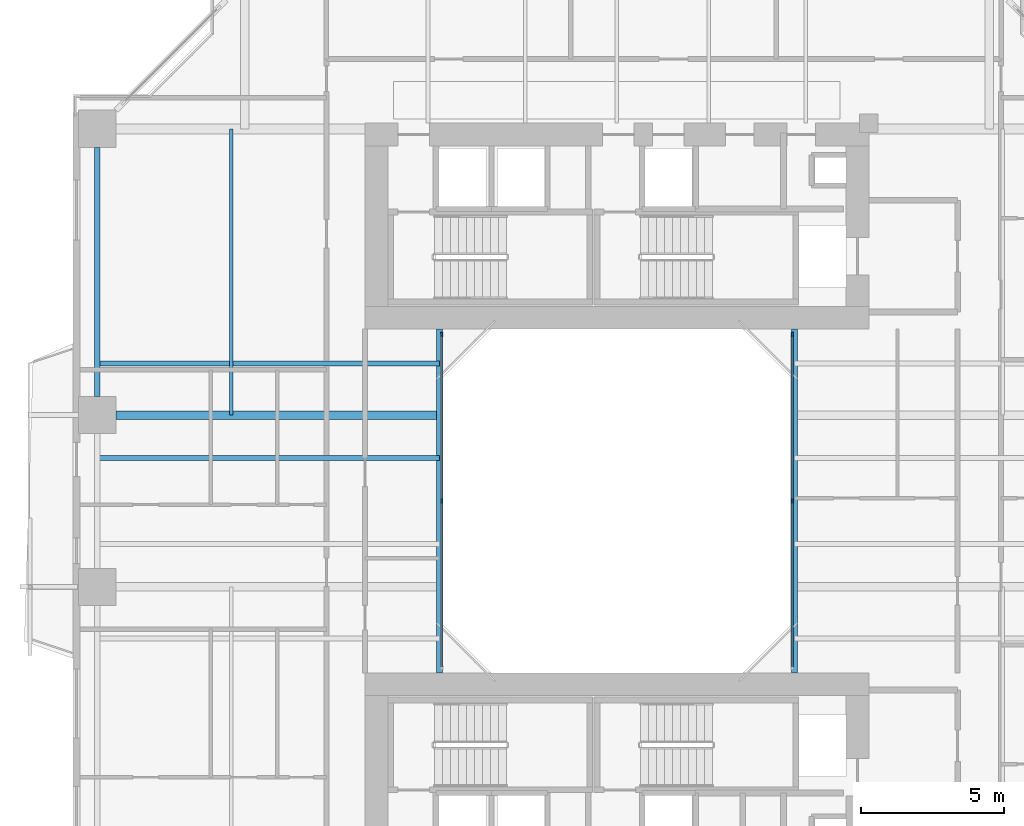
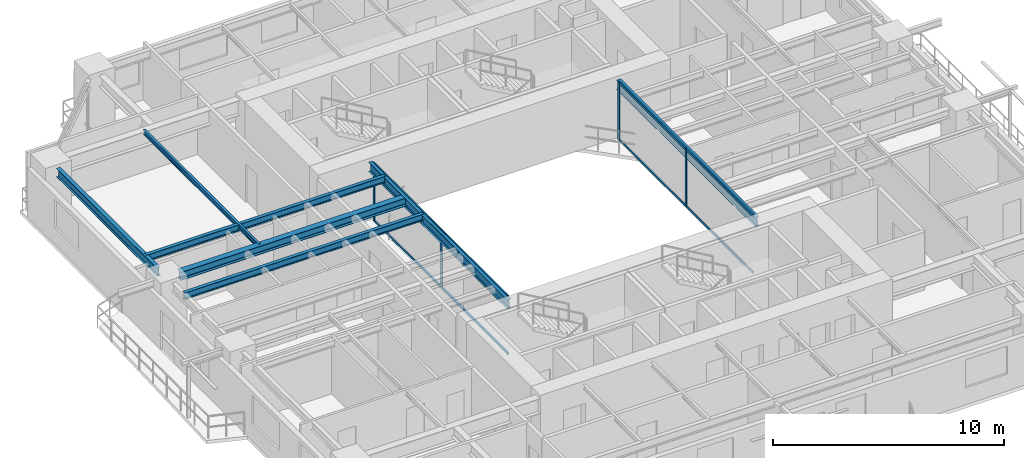
# One storey, part 4 of 24: 12 members, 7 beams, 2 elements without a shape of their own.
"""IFC4 building model written with IfcOpenShell, lengths in metres."""

import ifcopenshell
import ifcopenshell.guid

model = None  # the IFC model being written
_history = None  # IfcOwnerHistory: only IFC2X3 demands one
_inside = {}  # id of a spatial element -> (the spatial element, [elements in it])
_under = {}  # id of a project, library or spatial element -> (it, [spatial elements below it])
_declared = {}  # id of a project -> (the project, [libraries it declares])
_typed = {}  # id of a type object -> (the type object, [elements of that type])
_made_of = {}  # id of a material, layer set ... -> (it, [elements and type objects made of it])


def new_model(schema):
    """Start an empty IFC model of exactly this schema.

    Asked for "IFC4X3", IfcOpenShell would pick the latest addendum, in which some entities
    have other attributes; the version numbers below select the first issue.
    IFC2X3 requires an IfcOwnerHistory on every rooted entity: one is made here for all.
    """
    global model, _history
    if schema == "IFC4X3":
        model = ifcopenshell.file(schema_version=(4, 3, 0, 0))
    else:
        model = ifcopenshell.file(schema=schema)
    _inside.clear()
    _under.clear()
    _declared.clear()
    _typed.clear()
    _made_of.clear()
    _history = None
    if model.schema == "IFC2X3":
        org = make("IfcOrganization", Name="unknown")
        user = make(
            "IfcPersonAndOrganization",
            ThePerson=make("IfcPerson", FamilyName="unknown"),
            TheOrganization=org,
        )
        app = make(
            "IfcApplication",
            ApplicationDeveloper=org,
            Version="unknown",
            ApplicationFullName="unknown",
            ApplicationIdentifier="unknown",
        )
        _history = make(
            "IfcOwnerHistory",
            OwningUser=user,
            OwningApplication=app,
            ChangeAction="ADDED",
            CreationDate=0,
        )
    return model


def make(cls, **values):
    """One entity of the class cls with the attributes given. An attribute that is None is left unset."""
    return model.create_entity(
        cls, **{name: value for name, value in values.items() if value is not None}
    )


def rooted(cls, **values):
    """An entity with a GlobalId (a new one), such as an element, a storey or a relation."""
    return make(cls, GlobalId=ifcopenshell.guid.new(), OwnerHistory=_history, **values)


def si_unit(unit_type, name, prefix=None):
    """IfcSIUnit, for example si_unit("LENGTHUNIT", "METRE", prefix="MILLI")."""
    return make("IfcSIUnit", UnitType=unit_type, Prefix=prefix, Name=name)


def assignment(units):
    """IfcUnitAssignment: the units of a project."""
    return None if units is None else make("IfcUnitAssignment", Units=units)


def point(xyz):
    """IfcCartesianPoint."""
    return None if xyz is None else make("IfcCartesianPoint", Coordinates=xyz)


def direction(xyz):
    """IfcDirection."""
    return None if xyz is None else make("IfcDirection", DirectionRatios=xyz)


def frame(location, z_axis=None, x_axis=None):
    """IfcAxis2Placement3D, a coordinate frame: its origin and axes. An axis left out is left unset."""
    return make(
        "IfcAxis2Placement3D",
        Location=point(location),
        Axis=direction(z_axis),
        RefDirection=direction(x_axis),
    )


def frame_2d(location, x_axis=None):
    """IfcAxis2Placement2D, a coordinate frame in the plane: its origin and x axis."""
    return make(
        "IfcAxis2Placement2D", Location=point(location), RefDirection=direction(x_axis)
    )


def origin():
    """The frame at (0, 0, 0) with its axes left unset."""
    return frame((0.0, 0.0, 0.0))


def origin_2d():
    """The frame at (0, 0) in the plane with its x axis left unset."""
    return frame_2d((0.0, 0.0))


def place(relative_to, where):
    """IfcLocalPlacement: puts the frame where relative to a parent placement (None: the world)."""
    return make(
        "IfcLocalPlacement", PlacementRelTo=relative_to, RelativePlacement=where
    )


def context(
    kind, dimensions, precision=None, world=None, true_north=None, identifier=None
):
    """IfcGeometricRepresentationContext, for example the 3D "Model" context."""
    return make(
        "IfcGeometricRepresentationContext",
        ContextIdentifier=identifier,
        ContextType=kind,
        CoordinateSpaceDimension=dimensions,
        Precision=precision,
        WorldCoordinateSystem=world,
        TrueNorth=true_north,
    )


def subcontext(parent, identifier, kind, view, scale=None):
    """IfcGeometricRepresentationSubContext, for example "Body" below "Model"."""
    return make(
        "IfcGeometricRepresentationSubContext",
        ContextIdentifier=identifier,
        ContextType=kind,
        ParentContext=parent,
        TargetScale=scale,
        TargetView=view,
    )


def project(units=None, contexts=None):
    """IfcProject with its units and contexts."""
    return rooted(
        "IfcProject",
        Name="project",
        RepresentationContexts=contexts,
        UnitsInContext=assignment(units),
    )


def spatial(cls, under=None, at=None, **own):
    """A site, building, storey or space (cls), placed at a placement, below another one or the project."""
    s = rooted(cls, ObjectPlacement=at, **own)
    if under is not None:
        _under.setdefault(under.id(), (under, []))[1].append(s)
    return s


def profile(cls, at=None, kind="AREA", **sizes):
    """A parametric profile (cls). Its sizes go by their IFC names, for example OverallWidth=200.0."""
    return make(cls, ProfileType=kind, Position=at, **sizes)


def rectangle(**sizes):
    """IfcRectangleProfileDef."""
    return profile("IfcRectangleProfileDef", **sizes)


def i_section(**sizes):
    """IfcIShapeProfileDef."""
    return profile("IfcIShapeProfileDef", **sizes)


def extrude(swept, where, along, depth):
    """IfcExtrudedAreaSolid: the profile swept, set in the frame where, extruded along a direction by depth."""
    return make(
        "IfcExtrudedAreaSolid",
        SweptArea=swept,
        Position=where,
        ExtrudedDirection=direction(along),
        Depth=depth,
    )


def shape(context_of_items, identifier, shape_type, items):
    """IfcShapeRepresentation: the items that make up one representation, for example the "Body"."""
    return make(
        "IfcShapeRepresentation",
        ContextOfItems=context_of_items,
        RepresentationIdentifier=identifier,
        RepresentationType=shape_type,
        Items=items,
    )


def source(mapping_origin, context_of_items, identifier, shape_type, items):
    """IfcRepresentationMap: a shape defined once, which mapped items show again and again."""
    return make(
        "IfcRepresentationMap",
        MappingOrigin=mapping_origin,
        MappedRepresentation=shape(context_of_items, identifier, shape_type, items),
    )


def transform(
    local_origin,
    x_axis=None,
    y_axis=None,
    z_axis=None,
    scale=None,
    scale2=None,
    scale3=None,
    uniform=True,
):
    """IfcCartesianTransformationOperator3D, or its non-uniform kind. x_axis, y_axis, z_axis: its Axis1, 2, 3."""
    if uniform:
        return make(
            "IfcCartesianTransformationOperator3D",
            Axis1=direction(x_axis),
            Axis2=direction(y_axis),
            LocalOrigin=point(local_origin),
            Scale=scale,
            Axis3=direction(z_axis),
        )
    return make(
        "IfcCartesianTransformationOperator3DnonUniform",
        Axis1=direction(x_axis),
        Axis2=direction(y_axis),
        LocalOrigin=point(local_origin),
        Scale=scale,
        Axis3=direction(z_axis),
        Scale2=scale2,
        Scale3=scale3,
    )


def mapped(mapping_source, mapping_target):
    """IfcMappedItem: shows the shape of a source again, moved by a transform."""
    return make(
        "IfcMappedItem", MappingSource=mapping_source, MappingTarget=mapping_target
    )


def material(Name=None, Category=None):
    """IfcMaterial."""
    return make("IfcMaterial", Name=Name, Category=Category)


def layer(
    of_material, thickness, ventilated=None, Name=None, Category=None, Priority=None
):
    """IfcMaterialLayer: one layer of a wall or slab, of a material (None: an air gap)."""
    return make(
        "IfcMaterialLayer",
        Material=of_material,
        LayerThickness=thickness,
        IsVentilated=ventilated,
        Name=Name,
        Category=Category,
        Priority=Priority,
    )


def layer_set(layers, Name=None):
    """IfcMaterialLayerSet."""
    return make("IfcMaterialLayerSet", MaterialLayers=layers, LayerSetName=Name)


def material_profile(
    of_material, cross_section, Name=None, Category=None, Priority=None
):
    """IfcMaterialProfile: a cross section and its material."""
    return make(
        "IfcMaterialProfile",
        Name=Name,
        Material=of_material,
        Profile=cross_section,
        Priority=Priority,
        Category=Category,
    )


def profile_set(profiles, Name=None, composite=None):
    """IfcMaterialProfileSet."""
    return make(
        "IfcMaterialProfileSet",
        Name=Name,
        MaterialProfiles=profiles,
        CompositeProfile=composite,
    )


def made_of(thing, what):
    """Note that an element or type object is made of a material, layer set ...; save() writes the relation."""
    if what is not None:
        _made_of.setdefault(what.id(), (what, []))[1].append(thing)
    return thing


def type_object(cls, material=None, **own):
    """A type object (cls), such as IfcWallType, which elements share."""
    return made_of(rooted(cls, **own), material)


def element(
    cls,
    number,
    at=None,
    inside=None,
    cuts=None,
    type_object=None,
    material=None,
    context=None,
    identifier="Body",
    shape_type=None,
    held_by="IfcProductDefinitionShape",
    body=None,
    shapes=None,
    **own,
):
    """One element of the class cls, such as IfcWall. Its Tag is "e" and its number.

    at: its placement. inside: the storey or other place that contains it. cuts: it is an
    opening in that element (IfcRelVoidsElement). A single representation is given by context,
    identifier, shape_type and body (its items); several are given by shapes. held_by: the class
    of the entity that holds the representations. save() writes the other relations.
    """
    e = rooted(cls, Tag="e%d" % number, ObjectPlacement=at, **own)
    if body is not None:
        shapes = [shape(context, identifier, shape_type, body)]
    if shapes is not None:
        e.Representation = make(held_by, Representations=shapes)
    if inside is not None:
        _inside.setdefault(inside.id(), (inside, []))[1].append(e)
    if cuts is not None:
        rooted(
            "IfcRelVoidsElement", RelatingBuildingElement=cuts, RelatedOpeningElement=e
        )
    if type_object is not None:
        _typed.setdefault(type_object.id(), (type_object, []))[1].append(e)
    return made_of(e, material)


def aggregate(whole, parts):
    """IfcRelAggregates: a whole, such as a stair, and the parts it consists of."""
    return rooted("IfcRelAggregates", RelatingObject=whole, RelatedObjects=parts)


def save(model, path):
    """Write the relations noted so far, then the file.

    IfcRelAggregates (storeys below a building ...), IfcRelContainedInSpatialStructure (elements
    in a storey), IfcRelDefinesByType, IfcRelAssociatesMaterial and IfcRelDeclares: one each for
    every whole, place, type object, material and project.
    """
    for whole, parts in _under.values():
        aggregate(whole, parts)
    for where, things in _inside.values():
        rooted(
            "IfcRelContainedInSpatialStructure",
            RelatedElements=things,
            RelatingStructure=where,
        )
    for kind, things in _typed.values():
        rooted("IfcRelDefinesByType", RelatedObjects=things, RelatingType=kind)
    for what, things in _made_of.values():
        rooted("IfcRelAssociatesMaterial", RelatedObjects=things, RelatingMaterial=what)
    for by, libraries in _declared.values():
        rooted("IfcRelDeclares", RelatingContext=by, RelatedDefinitions=libraries)
    model.write(path)


model = new_model("IFC4")

# Units and contexts
model_context = context("Model", 3, precision=1e-05, world=origin(), true_north=direction((0.0, 1.0)))
body_context = subcontext(model_context, "Body", "Model", "MODEL_VIEW")
ifc_project = project(units=[si_unit("LENGTHUNIT", "METRE"), si_unit("AREAUNIT", "SQUARE_METRE"), si_unit("VOLUMEUNIT", "CUBIC_METRE"), si_unit("PLANEANGLEUNIT", "RADIAN"), si_unit("MASSUNIT", "GRAM", prefix="KILO"), si_unit("THERMODYNAMICTEMPERATUREUNIT", "KELVIN"), si_unit("POWERUNIT", "WATT")], contexts=[model_context])

# Site, building, storey
site_placement = place(None, origin())
site = spatial("IfcSite", under=ifc_project, at=site_placement, CompositionType="ELEMENT")
building_placement = place(site_placement, origin())
building = spatial("IfcBuilding", under=site, at=building_placement, Name="Qiaomeng Ring Towers", CompositionType="ELEMENT")
storey_placement = place(building_placement, frame((0.0, 0.0, 36.0)))
storey = spatial("IfcBuildingStorey", under=building, at=storey_placement, Name="L09", CompositionType="ELEMENT", Elevation=36.0)

# Beams
ifc_material_1 = material(Name="Steel Q355B", Category="steel")
ifc_material_profile_1 = material_profile(ifc_material_1, i_section(OverallWidth=0.199951171875, OverallDepth=0.5, WebThickness=0.010009765625, FlangeThickness=0.01611328125, FilletRadius=0.02001953125, at=origin_2d()), Name="HN 500x200x10x16")
ifc_profile_set_1 = profile_set([ifc_material_profile_1], Name="Steel Q355B")
beam_type_1 = type_object("IfcBeamType", Name="STR-BM-HN500", PredefinedType="BEAM", material=ifc_profile_set_1)
shared_shape_1 = source(origin(), body_context, "Body", "SweptSolid", [
    extrude(i_section(OverallWidth=0.199951171875, OverallDepth=0.5, WebThickness=0.010009765625, FlangeThickness=0.01611328125, FilletRadius=0.02001953125, at=origin_2d()), origin(), (0.0, 0.0, 1.0), 12.0),
])
for number, where, z_axis, x_axis, name in (
    (1, (12.800048828125, 17.0, 2.820068359375), (0.0, 1.0, 0.0), (-1.0, 0.0, 0.0), "L09 beam STR-BM-L09-WELL-W"),
    (2, (25.199951171875, 17.0, 2.820068359375), (0.0, 1.0, 0.0), (-1.0, 0.0, 0.0), "L09 beam STR-BM-L09-WELL-E"),
):
    element("IfcBeam", number, at=place(storey_placement, frame(where, z_axis=z_axis, x_axis=x_axis)), inside=storey, type_object=beam_type_1, Name=name, PredefinedType="BEAM", context=body_context, shape_type="MappedRepresentation", body=[
        mapped(shared_shape_1, transform((0.0, 0.0, 0.0), x_axis=(1.0, 0.0, 0.0), y_axis=(0.0, 1.0, 0.0), z_axis=(0.0, 0.0, 1.0), scale=1.0)),
    ])
ifc_material_profile_2 = material_profile(ifc_material_1, i_section(OverallWidth=0.199951171875, OverallDepth=0.449951171875, WebThickness=0.009033203125, FlangeThickness=0.013916015625, FilletRadius=0.01806640625, at=origin_2d()), Name="HN 450x200x9x14")
ifc_profile_set_2 = profile_set([ifc_material_profile_2], Name="Steel Q355B")
beam_type_2 = type_object("IfcBeamType", Name="STR-BM-HN450", PredefinedType="SPANDREL", material=ifc_profile_set_2)
shared_shape_2 = source(origin(), body_context, "Body", "SweptSolid", [
    extrude(i_section(OverallWidth=0.199951171875, OverallDepth=0.449951171875, WebThickness=0.009033203125, FlangeThickness=0.013916015625, FilletRadius=0.01806640625, at=origin_2d()), origin(), (0.0, 0.0, 1.0), 8.7021484375),
])
beam_1_placement = place(storey_placement, frame((0.85009765625, 35.35107421875, 2.844970703125), z_axis=(0.0, -1.0, 0.0), x_axis=(1.0, 0.0, 0.0)))
element("IfcBeam", 3, at=beam_1_placement, inside=storey, type_object=beam_type_2, Name="L09 beam STR-SP-L09-T1-W4-W3", PredefinedType="SPANDREL", context=body_context, shape_type="MappedRepresentation", body=[
    mapped(shared_shape_2, transform((0.0, 0.0, 0.0), x_axis=(1.0, 0.0, 0.0), y_axis=(0.0, 1.0, 0.0), z_axis=(0.0, 0.0, 1.0), scale=1.0)),
])
ifc_material_profile_3 = material_profile(ifc_material_1, i_section(OverallWidth=0.300048828125, OverallDepth=0.43994140625, WebThickness=0.010986328125, FlangeThickness=0.01806640625, FilletRadius=0.02392578125, at=origin_2d()), Name="HM 440x300x11x18")
ifc_profile_set_3 = profile_set([ifc_material_profile_3], Name="Steel Q355B")
beam_type_3 = type_object("IfcBeamType", Name="STR-BM-HM440", PredefinedType="BEAM", material=ifc_profile_set_3)
shared_shape_3 = source(origin(), body_context, "Body", "SweptSolid", [
    extrude(i_section(OverallWidth=0.300048828125, OverallDepth=0.43994140625, WebThickness=0.010986328125, FlangeThickness=0.01806640625, FilletRadius=0.02392578125, at=origin_2d()), origin(), (0.0, 0.0, 1.0), 11.301025390625),
])
beam_2_placement = place(storey_placement, frame((1.4990234375, 26.0, 2.85009765625), z_axis=(1.0, 0.0, 0.0), x_axis=(0.0, 1.0, 0.0)))
element("IfcBeam", 4, at=beam_2_placement, inside=storey, type_object=beam_type_3, Name="L09 beam STR-BM-L09-T1-RAD-W3", PredefinedType="BEAM", context=body_context, shape_type="MappedRepresentation", body=[
    mapped(shared_shape_3, transform((0.0, 0.0, 0.0), x_axis=(1.0, 0.0, 0.0), y_axis=(0.0, 1.0, 0.0), z_axis=(0.0, 0.0, 1.0), scale=1.0)),
])
ifc_material_profile_4 = material_profile(ifc_material_1, i_section(OverallWidth=0.175048828125, OverallDepth=0.35009765625, WebThickness=0.007080078125, FlangeThickness=0.010986328125, FilletRadius=0.013916015625, at=origin_2d()), Name="HN 350x175x7x11")
ifc_profile_set_4 = profile_set([ifc_material_profile_4], Name="Steel Q355B")
beam_type_4 = type_object("IfcBeamType", Name="STR-BM-HN350", PredefinedType="JOIST", material=ifc_profile_set_4)
shared_shape_4 = source(origin(), body_context, "Body", "SweptSolid", [
    extrude(i_section(OverallWidth=0.175048828125, OverallDepth=0.35009765625, WebThickness=0.007080078125, FlangeThickness=0.010986328125, FilletRadius=0.013916015625, at=origin_2d()), origin(), (0.0, 0.0, 1.0), 11.949951171875),
])
for number, where, z_axis, x_axis, name in (
    (5, (0.85009765625, 24.5, 2.89501953125), (1.0, 0.0, 0.0), (0.0, 1.0, 0.0), "L09 beam STR-JST-L09-T1W-3"),
    (6, (0.85009765625, 27.800048828125, 2.89501953125), (1.0, 0.0, 0.0), (0.0, 1.0, 0.0), "L09 beam STR-JST-L09-T1W-4"),
):
    element("IfcBeam", number, at=place(storey_placement, frame(where, z_axis=z_axis, x_axis=x_axis)), inside=storey, type_object=beam_type_4, Name=name, PredefinedType="JOIST", context=body_context, shape_type="MappedRepresentation", body=[
        mapped(shared_shape_4, transform((0.0, 0.0, 0.0), x_axis=(1.0, 0.0, 0.0), y_axis=(0.0, 1.0, 0.0), z_axis=(0.0, 0.0, 1.0), scale=1.0)),
    ])
ifc_material_profile_5 = material_profile(ifc_material_1, i_section(OverallWidth=0.125, OverallDepth=0.25, WebThickness=0.006103515625, FlangeThickness=0.009033203125, FilletRadius=0.011962890625, at=origin_2d()), Name="HN 250x125x6x9")
ifc_profile_set_5 = profile_set([ifc_material_profile_5], Name="Steel Q355B")
beam_type_5 = type_object("IfcBeamType", Name="STR-BM-HN250", PredefinedType="JOIST", material=ifc_profile_set_5)
shared_shape_5 = source(origin(), body_context, "Body", "SweptSolid", [
    extrude(i_section(OverallWidth=0.125, OverallDepth=0.25, WebThickness=0.006103515625, FlangeThickness=0.009033203125, FilletRadius=0.011962890625, at=origin_2d()), origin(), (0.0, 0.0, 1.0), 10.0),
])
beam_3_placement = place(storey_placement, frame((5.52490234375, 26.0, 2.945068359375), z_axis=(0.0, 1.0, 0.0), x_axis=(-1.0, 0.0, 0.0)))
element("IfcBeam", 7, at=beam_3_placement, inside=storey, type_object=beam_type_5, Name="L09 beam STR-JST-L09-T1C-WN", PredefinedType="JOIST", context=body_context, shape_type="MappedRepresentation", body=[
    mapped(shared_shape_5, transform((0.0, 0.0, 0.0), x_axis=(1.0, 0.0, 0.0), y_axis=(0.0, 1.0, 0.0), z_axis=(0.0, 0.0, 1.0), scale=1.0)),
])

# Curtain wall, members
ifc_material_2 = material(Name="Fluorocarbon dark-grey aluminium", Category="aluminium")
ifc_layer = layer(ifc_material_2, 0.139892578125, Name="Fluorocarbon dark-grey aluminium")
ifc_layer_set = layer_set([ifc_layer], Name="Fluorocarbon dark-grey aluminium")
curtain_wall_type = type_object("IfcCurtainWallType", Name="ARC-CW-4", PredefinedType="NOTDEFINED", material=ifc_layer_set)
curtain_wall_1_placement = place(storey_placement, origin())
curtain_wall_1 = element("IfcCurtainWall", 8, at=curtain_wall_1_placement, inside=storey, type_object=curtain_wall_type, Name="L09 Curtain Wall CW4", PredefinedType="NOTDEFINED")
ifc_material_profile_6 = material_profile(ifc_material_2, rectangle(XDim=0.06494140625, YDim=0.159912109375, at=origin_2d()), Name="ALU MULL 65x160")
ifc_profile_set_6 = profile_set([ifc_material_profile_6], Name="Fluorocarbon dark-grey aluminium")
member_type_1 = type_object("IfcMemberType", Name="ARC-CWM-140", PredefinedType="MULLION", material=ifc_profile_set_6)
shared_shape_6 = source(origin(), body_context, "Body", "SweptSolid", [
    extrude(rectangle(XDim=0.06494140625, YDim=0.159912109375, at=origin_2d()), origin(), (0.0, 0.0, 1.0), 3.070068359375),
])
member_1_placement = place(storey_placement, frame((12.8798828125, 23.0, 0.0), z_axis=(0.0, 0.0, 1.0), x_axis=(-1.0, 0.0, 0.0)))
member_1 = element("IfcMember", 9, at=member_1_placement, type_object=member_type_1, Name="CW4 mullion 2", PredefinedType="MULLION", context=body_context, shape_type="MappedRepresentation", body=[
    mapped(shared_shape_6, transform((0.0, 0.0, 0.0), x_axis=(1.0, 0.0, 0.0), y_axis=(0.0, 1.0, 0.0), z_axis=(0.0, 0.0, 1.0), scale=1.0)),
])
member_2_placement = place(storey_placement, frame((12.8798828125, 28.8173828125, 0.0), z_axis=(0.0, 0.0, 1.0), x_axis=(-1.0, 0.0, 0.0)))
member_2 = element("IfcMember", 10, at=member_2_placement, type_object=member_type_1, Name="CW4 mullion 3", PredefinedType="MULLION", context=body_context, shape_type="MappedRepresentation", body=[
    mapped(shared_shape_6, transform((0.0, 0.0, 0.0), x_axis=(1.0, 0.0, 0.0), y_axis=(0.0, 1.0, 0.0), z_axis=(0.0, 0.0, 1.0), scale=1.0)),
])

curtain_wall_2_placement = place(storey_placement, origin())
curtain_wall_2 = element("IfcCurtainWall", 11, at=curtain_wall_2_placement, inside=storey, type_object=curtain_wall_type, Name="L09 Curtain Wall CW4", PredefinedType="NOTDEFINED")
member_3_placement = place(storey_placement, frame((25.1201171875, 23.0, 0.0), z_axis=(0.0, 0.0, 1.0), x_axis=(-1.0, 0.0, 0.0)))
member_3 = element("IfcMember", 12, at=member_3_placement, type_object=member_type_1, Name="CW4 mullion 2", PredefinedType="MULLION", context=body_context, shape_type="MappedRepresentation", body=[
    mapped(shared_shape_6, transform((0.0, 0.0, 0.0), x_axis=(1.0, 0.0, 0.0), y_axis=(0.0, 1.0, 0.0), z_axis=(0.0, 0.0, 1.0), scale=1.0)),
])
member_4_placement = place(storey_placement, frame((25.1201171875, 28.8173828125, 0.0), z_axis=(0.0, 0.0, 1.0), x_axis=(-1.0, 0.0, 0.0)))
member_4 = element("IfcMember", 13, at=member_4_placement, type_object=member_type_1, Name="CW4 mullion 3", PredefinedType="MULLION", context=body_context, shape_type="MappedRepresentation", body=[
    mapped(shared_shape_6, transform((0.0, 0.0, 0.0), x_axis=(1.0, 0.0, 0.0), y_axis=(0.0, 1.0, 0.0), z_axis=(0.0, 0.0, 1.0), scale=1.0)),
])

# Member
ifc_material_profile_7 = material_profile(ifc_material_2, rectangle(XDim=0.06494140625, YDim=0.1298828125, at=origin_2d()), Name="ALU TRAN 65x130")
ifc_profile_set_7 = profile_set([ifc_material_profile_7], Name="Fluorocarbon dark-grey aluminium")
member_type_2 = type_object("IfcMemberType", Name="ARC-CWT-120", PredefinedType="USERDEFINED", material=ifc_profile_set_7)
shared_shape_7 = source(origin(), body_context, "Body", "SweptSolid", [
    extrude(rectangle(XDim=0.06494140625, YDim=0.1298828125, at=origin_2d()), origin(), (0.0, 0.0, 1.0), 5.75244140625),
])
member_5_placement = place(storey_placement, frame((12.8798828125, 17.215087890625, 0.032470703125), z_axis=(0.0, 1.0, 0.0), x_axis=(-1.0, 0.0, 0.0)))
member_5 = element("IfcMember", 14, at=member_5_placement, type_object=member_type_2, Name="CW4 transom 1.1", ObjectType="TRANSOM", PredefinedType="USERDEFINED", context=body_context, shape_type="MappedRepresentation", body=[
    mapped(shared_shape_7, transform((0.0, 0.0, 0.0), x_axis=(1.0, 0.0, 0.0), y_axis=(0.0, 1.0, 0.0), z_axis=(0.0, 0.0, 1.0), scale=1.0)),
])

member_6_placement = place(storey_placement, frame((12.8798828125, 17.215087890625, 3.03759765625), z_axis=(0.0, 1.0, 0.0), x_axis=(-1.0, 0.0, 0.0)))
member_6 = element("IfcMember", 15, at=member_6_placement, type_object=member_type_2, Name="CW4 transom 1.2", ObjectType="TRANSOM", PredefinedType="USERDEFINED", context=body_context, shape_type="MappedRepresentation", body=[
    mapped(shared_shape_7, transform((0.0, 0.0, 0.0), x_axis=(1.0, 0.0, 0.0), y_axis=(0.0, 1.0, 0.0), z_axis=(0.0, 0.0, 1.0), scale=1.0)),
])

member_7_placement = place(storey_placement, frame((12.8798828125, 23.032470703125, 0.032470703125), z_axis=(0.0, 1.0, 0.0), x_axis=(-1.0, 0.0, 0.0)))
member_7 = element("IfcMember", 16, at=member_7_placement, type_object=member_type_2, Name="CW4 transom 2.1", ObjectType="TRANSOM", PredefinedType="USERDEFINED", context=body_context, shape_type="MappedRepresentation", body=[
    mapped(shared_shape_7, transform((0.0, 0.0, 0.0), x_axis=(1.0, 0.0, 0.0), y_axis=(0.0, 1.0, 0.0), z_axis=(0.0, 0.0, 1.0), scale=1.0)),
])

member_8_placement = place(storey_placement, frame((12.8798828125, 23.032470703125, 3.03759765625), z_axis=(0.0, 1.0, 0.0), x_axis=(-1.0, 0.0, 0.0)))
member_8 = element("IfcMember", 17, at=member_8_placement, type_object=member_type_2, Name="CW4 transom 2.2", ObjectType="TRANSOM", PredefinedType="USERDEFINED", context=body_context, shape_type="MappedRepresentation", body=[
    mapped(shared_shape_7, transform((0.0, 0.0, 0.0), x_axis=(1.0, 0.0, 0.0), y_axis=(0.0, 1.0, 0.0), z_axis=(0.0, 0.0, 1.0), scale=1.0)),
])

aggregate(curtain_wall_1, [member_1, member_2, member_5, member_6, member_7, member_8])

member_9_placement = place(storey_placement, frame((25.1201171875, 17.215087890625, 0.032470703125), z_axis=(0.0, 1.0, 0.0), x_axis=(-1.0, 0.0, 0.0)))
member_9 = element("IfcMember", 18, at=member_9_placement, type_object=member_type_2, Name="CW4 transom 1.1", ObjectType="TRANSOM", PredefinedType="USERDEFINED", context=body_context, shape_type="MappedRepresentation", body=[
    mapped(shared_shape_7, transform((0.0, 0.0, 0.0), x_axis=(1.0, 0.0, 0.0), y_axis=(0.0, 1.0, 0.0), z_axis=(0.0, 0.0, 1.0), scale=1.0)),
])

member_10_placement = place(storey_placement, frame((25.1201171875, 17.215087890625, 3.03759765625), z_axis=(0.0, 1.0, 0.0), x_axis=(-1.0, 0.0, 0.0)))
member_10 = element("IfcMember", 19, at=member_10_placement, type_object=member_type_2, Name="CW4 transom 1.2", ObjectType="TRANSOM", PredefinedType="USERDEFINED", context=body_context, shape_type="MappedRepresentation", body=[
    mapped(shared_shape_7, transform((0.0, 0.0, 0.0), x_axis=(1.0, 0.0, 0.0), y_axis=(0.0, 1.0, 0.0), z_axis=(0.0, 0.0, 1.0), scale=1.0)),
])

member_11_placement = place(storey_placement, frame((25.1201171875, 23.032470703125, 0.032470703125), z_axis=(0.0, 1.0, 0.0), x_axis=(-1.0, 0.0, 0.0)))
member_11 = element("IfcMember", 20, at=member_11_placement, type_object=member_type_2, Name="CW4 transom 2.1", ObjectType="TRANSOM", PredefinedType="USERDEFINED", context=body_context, shape_type="MappedRepresentation", body=[
    mapped(shared_shape_7, transform((0.0, 0.0, 0.0), x_axis=(1.0, 0.0, 0.0), y_axis=(0.0, 1.0, 0.0), z_axis=(0.0, 0.0, 1.0), scale=1.0)),
])

member_12_placement = place(storey_placement, frame((25.1201171875, 23.032470703125, 3.03759765625), z_axis=(0.0, 1.0, 0.0), x_axis=(-1.0, 0.0, 0.0)))
member_12 = element("IfcMember", 21, at=member_12_placement, type_object=member_type_2, Name="CW4 transom 2.2", ObjectType="TRANSOM", PredefinedType="USERDEFINED", context=body_context, shape_type="MappedRepresentation", body=[
    mapped(shared_shape_7, transform((0.0, 0.0, 0.0), x_axis=(1.0, 0.0, 0.0), y_axis=(0.0, 1.0, 0.0), z_axis=(0.0, 0.0, 1.0), scale=1.0)),
])

aggregate(curtain_wall_2, [member_3, member_4, member_9, member_10, member_11, member_12])

save(model, "model.ifc")
